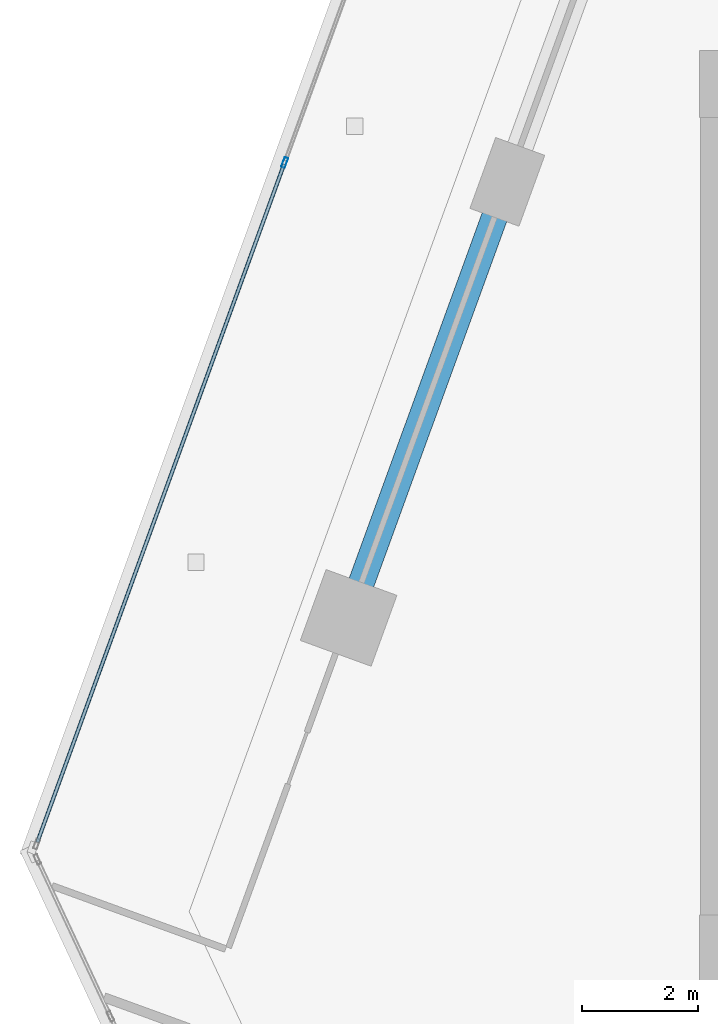
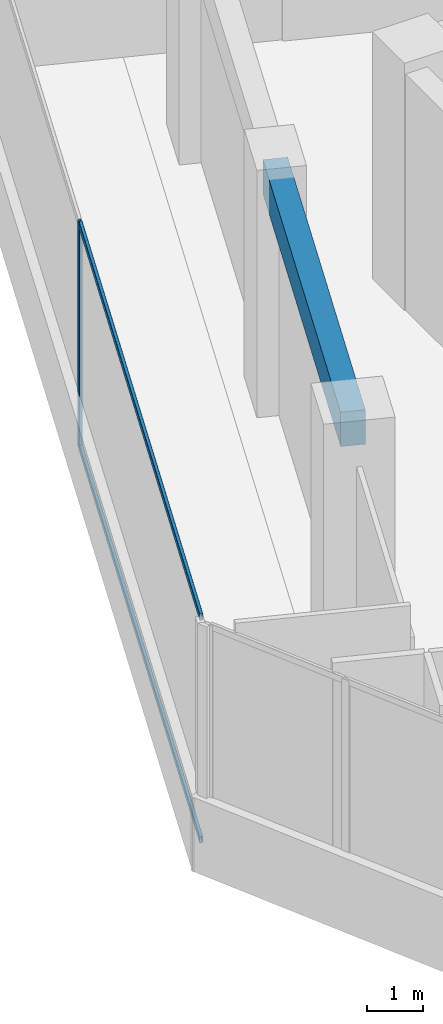
# One storey, part 6 of 21: 3 members, 1 beam, 1 element without a shape of its own.
"""IFC4 building model written with IfcOpenShell, lengths in metres."""

from ifc_helpers import new_model, si_unit, direction, frame, origin, origin_2d, place, context, subcontext, project, spatial, rectangle, hollow_rectangle, extrude, source, transform, mapped, material, material_profile, profile_set, type_object, element, aggregate, save


model = new_model("IFC4")

# Units and contexts
model_context = context("Model", 3, precision=1e-05, world=origin(), true_north=direction((0.0, 1.0)))
body_context = subcontext(model_context, "Body", "Model", "MODEL_VIEW")
ifc_project = project(units=[si_unit("LENGTHUNIT", "METRE"), si_unit("AREAUNIT", "SQUARE_METRE"), si_unit("VOLUMEUNIT", "CUBIC_METRE"), si_unit("PLANEANGLEUNIT", "RADIAN"), si_unit("MASSUNIT", "GRAM", prefix="KILO")], contexts=[model_context])

# Site, building, storey
site_placement = place(None, origin())
site = spatial("IfcSite", under=ifc_project, at=site_placement, CompositionType="ELEMENT")
building_placement = place(site_placement, origin())
building = spatial("IfcBuilding", under=site, at=building_placement, Name="Torre Montelarca", CompositionType="ELEMENT")
storey_placement = place(building_placement, frame((0.0, 0.0, 127.60009765625)))
storey = spatial("IfcBuildingStorey", under=building, at=storey_placement, Name="L28", CompositionType="ELEMENT", Elevation=127.60009765625)

# Beam
ifc_material_1 = material(Name="Concrete C55/67", Category="concrete")
ifc_material_profile_1 = material_profile(ifc_material_1, rectangle(XDim=0.449951171875, YDim=0.75, at=origin_2d()), Name="RCB450X750", Category="concrete")
ifc_profile_set_1 = profile_set([ifc_material_profile_1], Name="Concrete C55/67")
beam_type = type_object("IfcBeamType", Name="BM-SP-RC750-EXT", PredefinedType="SPANDREL", material=ifc_profile_set_1)
shared_shape_1 = source(origin(), body_context, "Body", "SweptSolid", [
    extrude(rectangle(XDim=0.449951171875, YDim=0.75, at=origin_2d()), origin(), (0.0, 0.0, 1.0), 7.999755859375),
])
beam_placement = place(storey_placement, frame((2.929931640625, 30.24560546875, 4.784912109375), z_axis=(0.342046889689, 0.939682885475, 0.0), x_axis=(-0.939682885475, 0.342046889689, 0.0)))
element("IfcBeam", 1, at=beam_placement, inside=storey, type_object=beam_type, Name="L28 Grid Girder Y 24.0-32.0 at X=4.7", PredefinedType="SPANDREL", context=body_context, shape_type="MappedRepresentation", body=[
    mapped(shared_shape_1, transform((0.0, 0.0, 0.0), scale=1.0)),
])

# Curtain wall, members
ifc_material_2 = material(Name="Insulated low-E laminated glass", Category="glass")
curtain_wall_type = type_object("IfcCurtainWallType", Name="CW-SYS-Z2", PredefinedType="USERDEFINED", material=ifc_material_2)
curtain_wall_placement = place(storey_placement, origin())
curtain_wall = element("IfcCurtainWall", 2, at=curtain_wall_placement, inside=storey, type_object=curtain_wall_type, Name="L28 Curtain Wall Run CW-T3-L28-E10-B1", ObjectType="UNITISED GLAZING", PredefinedType="USERDEFINED")
ifc_material_3 = material(Name="Anodised aluminium AA 6063-T6", Category="aluminium")
ifc_material_profile_2 = material_profile(ifc_material_3, hollow_rectangle(XDim=0.06494140625, YDim=0.139892578125, WallThickness=0.00390625, InnerFilletRadius=0.00390625, OuterFilletRadius=0.008056640625, at=origin_2d()), Name="ALU65X140X4", Category="aluminium")
ifc_profile_set_2 = profile_set([ifc_material_profile_2], Name="Anodised aluminium AA 6063-T6")
member_type_1 = type_object("IfcMemberType", Name="CWT-ALU140", PredefinedType="USERDEFINED", material=ifc_profile_set_2)
shared_shape_2 = source(origin(), body_context, "Body", "SweptSolid", [
    extrude(hollow_rectangle(XDim=0.06494140625, YDim=0.139892578125, WallThickness=0.00390625, InnerFilletRadius=0.00390625, OuterFilletRadius=0.008056640625, at=origin_2d()), origin(), (0.0, 0.0, 1.0), 12.4365234375),
])
member_1_placement = place(storey_placement, frame((1.8173828125, 38.06494140625, 0.032470703125), z_axis=(-0.342028339507, -0.939689637579, 0.0), x_axis=(0.939689637579, -0.342028339507, 0.0)))
member_1 = element("IfcMember", 3, at=member_1_placement, type_object=member_type_1, Name="CW transom 2.1", ObjectType="TRANSOM", PredefinedType="USERDEFINED", context=body_context, shape_type="MappedRepresentation", body=[
    mapped(shared_shape_2, transform((0.0, 0.0, 0.0), scale=1.0)),
])
member_2_placement = place(storey_placement, frame((1.8173828125, 38.06494140625, 4.887451171875), z_axis=(-0.342028339507, -0.939689637579, 0.0), x_axis=(0.939689637579, -0.342028339507, 0.0)))
member_2 = element("IfcMember", 4, at=member_2_placement, type_object=member_type_1, Name="CW transom 2.2", ObjectType="TRANSOM", PredefinedType="USERDEFINED", context=body_context, shape_type="MappedRepresentation", body=[
    mapped(shared_shape_2, transform((0.0, 0.0, 0.0), scale=1.0)),
])
ifc_material_profile_3 = material_profile(ifc_material_3, hollow_rectangle(XDim=0.06494140625, YDim=0.179931640625, WallThickness=0.00390625, InnerFilletRadius=0.00390625, OuterFilletRadius=0.008056640625, at=origin_2d()), Name="ALU65X180X4", Category="aluminium")
ifc_profile_set_3 = profile_set([ifc_material_profile_3], Name="Anodised aluminium AA 6063-T6")
member_type_2 = type_object("IfcMemberType", Name="CWM-ALU180", PredefinedType="MULLION", material=ifc_profile_set_3)
shared_shape_3 = source(origin(), body_context, "Body", "SweptSolid", [
    extrude(hollow_rectangle(XDim=0.06494140625, YDim=0.179931640625, WallThickness=0.00390625, InnerFilletRadius=0.00390625, OuterFilletRadius=0.008056640625, at=origin_2d()), origin(), (0.0, 0.0, 1.0), 4.919921875),
])
member_3_placement = place(storey_placement, frame((1.82861328125, 38.095703125, 0.0), z_axis=(0.0, 0.0, 1.0), x_axis=(0.939692985234, -0.342019142012, 0.0)))
member_3 = element("IfcMember", 5, at=member_3_placement, type_object=member_type_2, Name="CW mullion 2", PredefinedType="MULLION", context=body_context, shape_type="MappedRepresentation", body=[
    mapped(shared_shape_3, transform((0.0, 0.0, 0.0), scale=1.0)),
])
aggregate(curtain_wall, [member_3, member_1, member_2])

save(model, "model.ifc")
